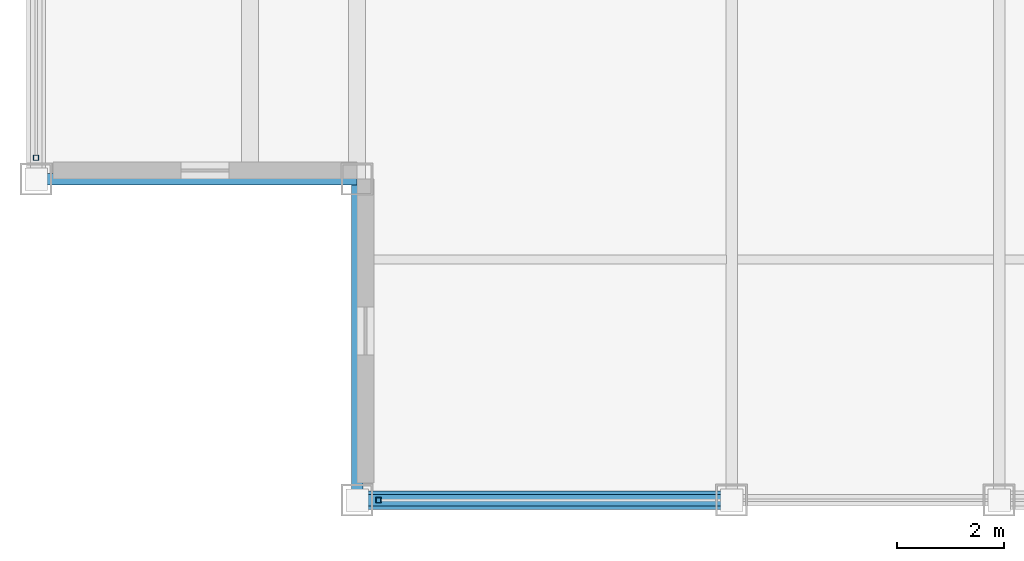
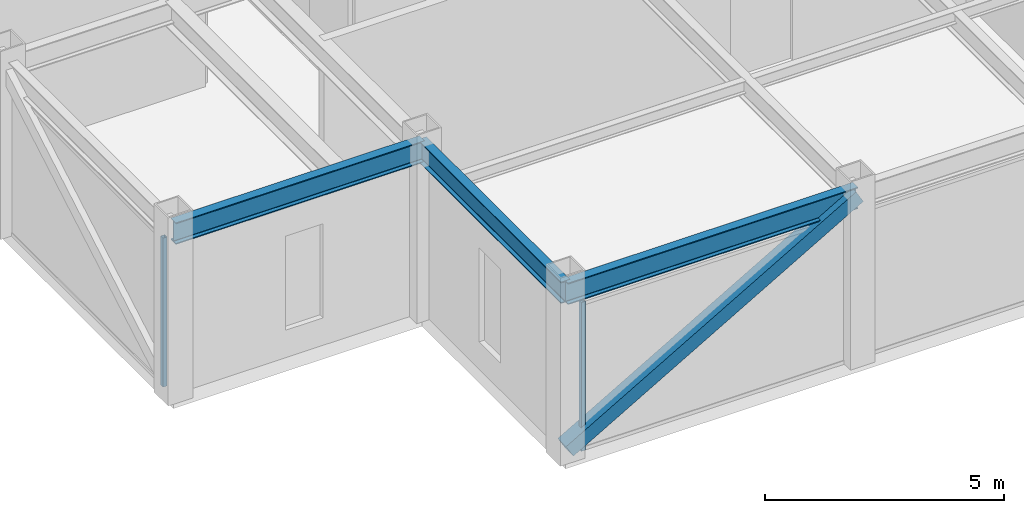
# One storey, part 2 of 27: 3 beams, 3 members, 2 elements without a shape of their own.
"""IFC4 building model written with IfcOpenShell, lengths in metres."""

from ifc_helpers import new_model, si_unit, direction, frame, origin, origin_2d, place, context, subcontext, project, spatial, hollow_rectangle, i_section, extrude, source, transform, mapped, material, material_profile, profile_set, type_object, element, aggregate, save


model = new_model("IFC4")

# Units and contexts
model_context = context("Model", 3, precision=1e-05, world=origin(), true_north=direction((0.0, 1.0)))
body_context = subcontext(model_context, "Body", "Model", "MODEL_VIEW")
ifc_project = project(units=[si_unit("LENGTHUNIT", "METRE"), si_unit("AREAUNIT", "SQUARE_METRE"), si_unit("VOLUMEUNIT", "CUBIC_METRE"), si_unit("PLANEANGLEUNIT", "RADIAN"), si_unit("MASSUNIT", "GRAM", prefix="KILO")], contexts=[model_context])

# Site, building, storey
site_placement = place(None, origin())
site = spatial("IfcSite", under=ifc_project, at=site_placement, CompositionType="ELEMENT")
building_placement = place(site_placement, origin())
building = spatial("IfcBuilding", under=site, at=building_placement, Name="Khorayat Bourse Tower", CompositionType="ELEMENT")
storey_placement = place(building_placement, frame((0.0, 0.0, 385.10009765625)))
storey = spatial("IfcBuildingStorey", under=building, at=storey_placement, Name="L91", CompositionType="ELEMENT", Elevation=385.10009765625)

# Beams
ifc_material_1 = material(Name="Steel ASTM A992 Grade 50", Category="steel")
ifc_material_profile_1 = material_profile(ifc_material_1, i_section(OverallWidth=0.214111328125, OverallDepth=0.549072265625, WebThickness=0.0146484375, FlangeThickness=0.023681640625, FilletRadius=0.013916015625, at=origin_2d()), Name="W530X138")
ifc_profile_set_1 = profile_set([ifc_material_profile_1], Name="Steel ASTM A992 Grade 50")
beam_type = type_object("IfcBeamType", Name="BM-SPAN-530", PredefinedType="SPANDREL", material=ifc_profile_set_1)
shared_shape_1 = source(origin(), body_context, "Body", "SweptSolid", [
    extrude(i_section(OverallWidth=0.214111328125, OverallDepth=0.549072265625, WebThickness=0.0146484375, FlangeThickness=0.023681640625, FilletRadius=0.013916015625, at=origin_2d()), origin(), (0.0, 0.0, 1.0), 6.0),
])
for number, where, z_axis, x_axis, name in (
    (1, (-24.0, -18.0, 4.17529296875), (1.0, 0.0, 0.0), (0.0, 1.0, 0.0), "L91 BM-SPAN-530 BM-L91-SPN-054"),
    (2, (-18.0, -24.0, 4.17529296875), (0.0, 1.0, 0.0), (-1.0, 0.0, 0.0), "L91 BM-SPAN-530 BM-L91-SPN-055"),
):
    element("IfcBeam", number, at=place(storey_placement, frame(where, z_axis=z_axis, x_axis=x_axis)), inside=storey, type_object=beam_type, Name=name, PredefinedType="SPANDREL", context=body_context, shape_type="MappedRepresentation", body=[
        mapped(shared_shape_1, transform((0.0, 0.0, 0.0), scale=1.0)),
    ])
shared_shape_2 = source(origin(), body_context, "Body", "SweptSolid", [
    extrude(i_section(OverallWidth=0.214111328125, OverallDepth=0.549072265625, WebThickness=0.0146484375, FlangeThickness=0.023681640625, FilletRadius=0.013916015625, at=origin_2d()), origin(), (0.0, 0.0, 1.0), 7.0),
])
beam_placement = place(storey_placement, frame((-18.0, -24.0, 4.17529296875), z_axis=(1.0, 0.0, 0.0), x_axis=(0.0, 1.0, 0.0)))
element("IfcBeam", 3, at=beam_placement, inside=storey, type_object=beam_type, Name="L91 BM-SPAN-530 BM-L91-SPN-024", PredefinedType="SPANDREL", context=body_context, shape_type="MappedRepresentation", body=[
    mapped(shared_shape_2, transform((0.0, 0.0, 0.0), scale=1.0)),
])

# Member
ifc_material_2 = material(Name="Steel EN 10025-2 S355J2", Category="steel")
ifc_material_profile_2 = material_profile(ifc_material_2, hollow_rectangle(XDim=0.35009765625, YDim=0.35009765625, WallThickness=0.02001953125, at=origin_2d()), Name="HSS 350x350x20")
ifc_profile_set_2 = profile_set([ifc_material_profile_2], Name="Steel EN 10025-2 S355J2")
member_type_1 = type_object("IfcMemberType", Name="MBR-CROWN-350", PredefinedType="USERDEFINED", material=ifc_profile_set_2)
shared_shape_3 = source(origin(), body_context, "Body", "SweptSolid", [
    extrude(hollow_rectangle(XDim=0.35009765625, YDim=0.35009765625, WallThickness=0.02001953125, at=origin_2d()), origin(), (0.0, 0.0, 1.0), 8.087158203125),
])
member_1_placement = place(storey_placement, frame((-18.0, -24.0, 0.199951171875), z_axis=(0.865564731219, 0.0, 0.500797060763), x_axis=(0.0, 1.0, 0.0)))
element("IfcMember", 4, at=member_1_placement, inside=storey, type_object=member_type_1, Name="L91 Lantern Crown Frame Member 01", ObjectType="CROWN FRAME", PredefinedType="USERDEFINED", context=body_context, shape_type="MappedRepresentation", body=[
    mapped(shared_shape_3, transform((0.0, 0.0, 0.0), scale=1.0)),
])

# Curtain wall, member
ifc_material_3 = material(Name="Aluminium EN AW-6063 T6", Category="aluminium")
curtain_wall_type = type_object("IfcCurtainWallType", Name="CW-SYS-07", PredefinedType="NOTDEFINED", material=ifc_material_3)
curtain_wall_1_placement = place(storey_placement, origin())
curtain_wall_1 = element("IfcCurtainWall", 5, at=curtain_wall_1_placement, inside=storey, type_object=curtain_wall_type, Name="L91 Curtain Wall CW-L91-S1", PredefinedType="NOTDEFINED")
ifc_material_profile_3 = material_profile(ifc_material_3, hollow_rectangle(XDim=0.10009765625, YDim=0.10009765625, WallThickness=0.0048828125, at=origin_2d()), Name="ALU 100x100x5")
ifc_profile_set_3 = profile_set([ifc_material_profile_3], Name="Aluminium EN AW-6063 T6")
member_type_2 = type_object("IfcMemberType", Name="CWM-LANTERN-100", PredefinedType="MULLION", material=ifc_profile_set_3)
shared_shape_4 = source(origin(), body_context, "Body", "SweptSolid", [
    extrude(hollow_rectangle(XDim=0.10009765625, YDim=0.10009765625, WallThickness=0.0048828125, at=origin_2d()), origin(), (0.0, 0.0, 1.0), 3.7998046875),
])
member_2_placement = place(storey_placement, frame((-17.60009765625, -24.0, 0.0), z_axis=(0.0, 0.0, 1.0), x_axis=(0.0, 1.0, 0.0)))
member_2 = element("IfcMember", 6, at=member_2_placement, type_object=member_type_2, Name="CW-L91-S1 Vertical Mullion 1", PredefinedType="MULLION", context=body_context, shape_type="MappedRepresentation", body=[
    mapped(shared_shape_4, transform((0.0, 0.0, 0.0), scale=1.0)),
])
aggregate(curtain_wall_1, [member_2])

curtain_wall_2_placement = place(storey_placement, origin())
curtain_wall_2 = element("IfcCurtainWall", 7, at=curtain_wall_2_placement, inside=storey, type_object=curtain_wall_type, Name="L91 Curtain Wall CW-L91-W1", PredefinedType="NOTDEFINED")
member_3_placement = place(storey_placement, frame((-24.0, -17.60009765625, 0.0), z_axis=(0.0, 0.0, 1.0), x_axis=(-1.0, 0.0, 0.0)))
member_3 = element("IfcMember", 8, at=member_3_placement, type_object=member_type_2, Name="CW-L91-W1 Vertical Mullion 1", PredefinedType="MULLION", context=body_context, shape_type="MappedRepresentation", body=[
    mapped(shared_shape_4, transform((0.0, 0.0, 0.0), scale=1.0)),
])
aggregate(curtain_wall_2, [member_3])

save(model, "model.ifc")
